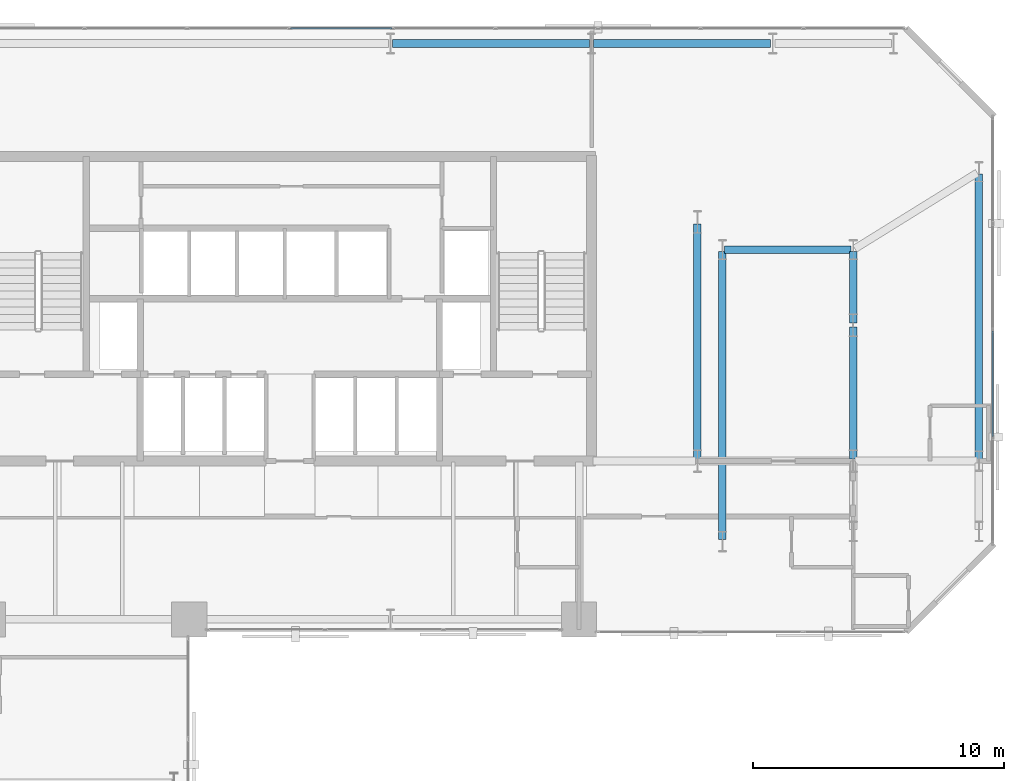
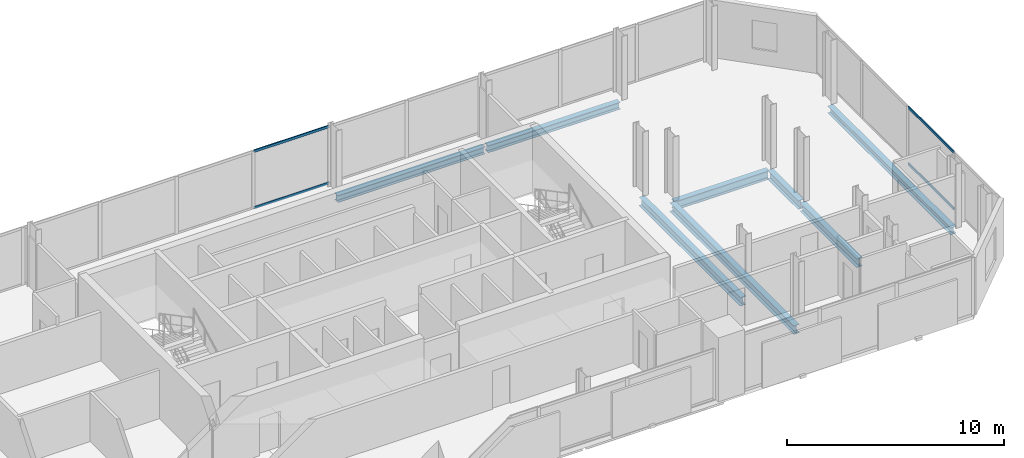
# One storey, part 24 of 33: 8 beams, 4 members, 2 elements without a shape of their own.
"""IFC4 building model written with IfcOpenShell, lengths in metres."""

from ifc_helpers import new_model, si_unit, direction, frame, origin, origin_2d, place, context, subcontext, project, spatial, hollow_rectangle, i_section, extrude, material, layer, layer_set, material_profile, profile_set, type_object, element, aggregate, save


model = new_model("IFC4")

# Units and contexts
model_context = context("Model", 3, precision=1e-05, world=origin(), true_north=direction((0.0, 1.0)))
body_context = subcontext(model_context, "Body", "Model", "MODEL_VIEW")
ifc_project = project(units=[si_unit("LENGTHUNIT", "METRE"), si_unit("AREAUNIT", "SQUARE_METRE"), si_unit("VOLUMEUNIT", "CUBIC_METRE"), si_unit("PLANEANGLEUNIT", "RADIAN"), si_unit("MASSUNIT", "GRAM", prefix="KILO")], contexts=[model_context])

# Site, building, storey
site_placement = place(None, origin())
site = spatial("IfcSite", under=ifc_project, at=site_placement, CompositionType="ELEMENT")
building_placement = place(site_placement, origin())
building = spatial("IfcBuilding", under=site, at=building_placement, Name="Catumbela Crestline Tower", CompositionType="ELEMENT")
storey_placement = place(building_placement, frame((0.0, 0.0, 76.2)))
storey = spatial("IfcBuildingStorey", under=building, at=storey_placement, Name="L19", CompositionType="ELEMENT", Elevation=76.2)

# Beams
ifc_material_1 = material(Name="Structural steel S355J2", Category="steel")
ifc_material_profile_1 = material_profile(ifc_material_1, i_section(OverallWidth=0.3, OverallDepth=0.49, WebThickness=0.012, FlangeThickness=0.023, FilletRadius=0.027, at=origin_2d()), Name="HEA 500")
ifc_profile_set_1 = profile_set([ifc_material_profile_1], Name="Structural steel S355J2")
beam_type_1 = type_object("IfcBeamType", Name="BG-HEA500", PredefinedType="BEAM", material=ifc_profile_set_1)
beam_1_placement = place(storey_placement, frame((45.28, 39.2, -0.505), z_axis=(1.0, 0.0, 0.0), x_axis=(0.0, 1.0, 0.0)))
element("IfcBeam", 1, at=beam_1_placement, inside=storey, type_object=beam_type_1, Name="L19 Beam BM-L19-N17", PredefinedType="BEAM", context=body_context, shape_type="SweptSolid", body=[
    extrude(i_section(OverallWidth=0.3, OverallDepth=0.49, WebThickness=0.012, FlangeThickness=0.023, FilletRadius=0.027, at=origin_2d()), origin(), (0.0, 0.0, 1.0), 5.04),
])
beam_2_placement = place(storey_placement, frame((44.2, 30.88, -0.505), z_axis=(0.0, 1.0, 0.0), x_axis=(-1.0, 0.0, 0.0)))
element("IfcBeam", 2, at=beam_2_placement, inside=storey, type_object=beam_type_1, Name="L19 Beam BM-L19-SN35", PredefinedType="BEAM", context=body_context, shape_type="SweptSolid", body=[
    extrude(i_section(OverallWidth=0.3, OverallDepth=0.49, WebThickness=0.012, FlangeThickness=0.023, FilletRadius=0.027, at=origin_2d()), origin(), (0.0, 0.0, 1.0), 9.34),
])
beam_3_placement = place(storey_placement, frame((45.2, 27.68, -0.505), z_axis=(0.0, 1.0, 0.0), x_axis=(-1.0, 0.0, 0.0)))
element("IfcBeam", 3, at=beam_3_placement, inside=storey, type_object=beam_type_1, Name="L19 Beam BM-L19-SN36", PredefinedType="BEAM", context=body_context, shape_type="SweptSolid", body=[
    extrude(i_section(OverallWidth=0.3, OverallDepth=0.49, WebThickness=0.012, FlangeThickness=0.023, FilletRadius=0.027, at=origin_2d()), origin(), (0.0, 0.0, 1.0), 11.44),
])
beam_4_placement = place(storey_placement, frame((50.4, 30.88, -0.505), z_axis=(0.0, 1.0, 0.0), x_axis=(-1.0, 0.0, 0.0)))
element("IfcBeam", 4, at=beam_4_placement, inside=storey, type_object=beam_type_1, Name="L19 Beam BM-L19-SN38", PredefinedType="BEAM", context=body_context, shape_type="SweptSolid", body=[
    extrude(i_section(OverallWidth=0.3, OverallDepth=0.49, WebThickness=0.012, FlangeThickness=0.023, FilletRadius=0.027, at=origin_2d()), origin(), (0.0, 0.0, 1.0), 5.24),
])
beam_5_placement = place(storey_placement, frame((50.4, 36.28, -0.505), z_axis=(0.0, 1.0, 0.0), x_axis=(-1.0, 0.0, 0.0)))
element("IfcBeam", 5, at=beam_5_placement, inside=storey, type_object=beam_type_1, Name="L19 Beam BM-L19-SN39", PredefinedType="BEAM", context=body_context, shape_type="SweptSolid", body=[
    extrude(i_section(OverallWidth=0.3, OverallDepth=0.49, WebThickness=0.012, FlangeThickness=0.023, FilletRadius=0.027, at=origin_2d()), origin(), (0.0, 0.0, 1.0), 2.84),
])
ifc_material_profile_2 = material_profile(ifc_material_1, i_section(OverallWidth=0.3, OverallDepth=0.4, WebThickness=0.0135, FlangeThickness=0.024, FilletRadius=0.027, at=origin_2d()), Name="HEB 400")
ifc_profile_set_2 = profile_set([ifc_material_profile_2], Name="Structural steel S355J2")
beam_type_2 = type_object("IfcBeamType", Name="BS-HEB400", PredefinedType="SPANDREL", material=ifc_profile_set_2)
beam_6_placement = place(storey_placement, frame((32.08, 47.4, -0.46), z_axis=(1.0, 0.0, 0.0), x_axis=(0.0, 1.0, 0.0)))
element("IfcBeam", 6, at=beam_6_placement, inside=storey, type_object=beam_type_2, Name="L19 Spandrel SP-L19-NF22", PredefinedType="SPANDREL", context=body_context, shape_type="SweptSolid", body=[
    extrude(i_section(OverallWidth=0.3, OverallDepth=0.4, WebThickness=0.0135, FlangeThickness=0.024, FilletRadius=0.027, at=origin_2d()), origin(), (0.0, 0.0, 1.0), 7.84),
])
beam_7_placement = place(storey_placement, frame((40.08, 47.4, -0.46), z_axis=(1.0, 0.0, 0.0), x_axis=(0.0, 1.0, 0.0)))
element("IfcBeam", 7, at=beam_7_placement, inside=storey, type_object=beam_type_2, Name="L19 Spandrel SP-L19-NF23", PredefinedType="SPANDREL", context=body_context, shape_type="SweptSolid", body=[
    extrude(i_section(OverallWidth=0.3, OverallDepth=0.4, WebThickness=0.0135, FlangeThickness=0.024, FilletRadius=0.027, at=origin_2d()), origin(), (0.0, 0.0, 1.0), 7.04),
])
beam_8_placement = place(storey_placement, frame((55.4, 30.88, -0.46), z_axis=(0.0, 1.0, 0.0), x_axis=(-1.0, 0.0, 0.0)))
element("IfcBeam", 8, at=beam_8_placement, inside=storey, type_object=beam_type_2, Name="L19 Spandrel SP-L19-SN41", PredefinedType="SPANDREL", context=body_context, shape_type="SweptSolid", body=[
    extrude(i_section(OverallWidth=0.3, OverallDepth=0.4, WebThickness=0.0135, FlangeThickness=0.024, FilletRadius=0.027, at=origin_2d()), origin(), (0.0, 0.0, 1.0), 11.34),
])

# Curtain wall, members
ifc_material_2 = material(Name="Aluminium alloy AW-6060-T66", Category="aluminium")
ifc_layer = layer(ifc_material_2, 0.18, Name="Aluminium alloy AW-6060-T66")
ifc_layer_set = layer_set([ifc_layer], Name="Aluminium alloy AW-6060-T66")
curtain_wall_type = type_object("IfcCurtainWallType", Name="CWU-Z1", PredefinedType="USERDEFINED", material=ifc_layer_set)
curtain_wall_1_placement = place(storey_placement, origin())
curtain_wall_1 = element("IfcCurtainWall", 9, at=curtain_wall_1_placement, inside=storey, type_object=curtain_wall_type, Name="L19 Unitised Curtain Wall CW-L19-E5S1", ObjectType="UNITISED", PredefinedType="USERDEFINED")
ifc_material_profile_3 = material_profile(ifc_material_2, hollow_rectangle(XDim=0.06, YDim=0.14, WallThickness=0.004, at=origin_2d()), Name="ALU 140x60x4")
ifc_profile_set_3 = profile_set([ifc_material_profile_3], Name="Aluminium alloy AW-6060-T66")
member_type = type_object("IfcMemberType", Name="TRN-140X60", PredefinedType="USERDEFINED", material=ifc_profile_set_3)
member_1_placement = place(storey_placement, frame((55.95, 31.7825, 0.03), z_axis=(0.0, 1.0, 0.0), x_axis=(-1.0, 0.0, 0.0)))
member_1 = element("IfcMember", 10, at=member_1_placement, type_object=member_type, Name="CWU-Z1 transom 2.1", ObjectType="TRANSOM", PredefinedType="USERDEFINED", context=body_context, shape_type="SweptSolid", body=[
    extrude(hollow_rectangle(XDim=0.06, YDim=0.14, WallThickness=0.004, at=origin_2d()), origin(), (0.0, 0.0, 1.0), 4.185),
])
member_2_placement = place(storey_placement, frame((55.95, 31.7825, 3.21), z_axis=(0.0, 1.0, 0.0), x_axis=(-1.0, 0.0, 0.0)))
member_2 = element("IfcMember", 11, at=member_2_placement, type_object=member_type, Name="CWU-Z1 transom 2.2", ObjectType="TRANSOM", PredefinedType="USERDEFINED", context=body_context, shape_type="SweptSolid", body=[
    extrude(hollow_rectangle(XDim=0.06, YDim=0.14, WallThickness=0.004, at=origin_2d()), origin(), (0.0, 0.0, 1.0), 4.185),
])
aggregate(curtain_wall_1, [member_1, member_2])

curtain_wall_2_placement = place(storey_placement, origin())
curtain_wall_2 = element("IfcCurtainWall", 12, at=curtain_wall_2_placement, inside=storey, type_object=curtain_wall_type, Name="L19 Unitised Curtain Wall CW-L19-E7S1", ObjectType="UNITISED", PredefinedType="USERDEFINED")
member_3_placement = place(storey_placement, frame((32.0508, 48.0, 0.03), z_axis=(-1.0, 0.0, 0.0), x_axis=(0.0, -1.0, 0.0)))
member_3 = element("IfcMember", 13, at=member_3_placement, type_object=member_type, Name="CWU-Z1 transom 6.1", ObjectType="TRANSOM", PredefinedType="USERDEFINED", context=body_context, shape_type="SweptSolid", body=[
    extrude(hollow_rectangle(XDim=0.06, YDim=0.14, WallThickness=0.004, at=origin_2d()), origin(), (0.0, 0.0, 1.0), 4.0183),
])
member_4_placement = place(storey_placement, frame((32.0508, 48.0, 3.21), z_axis=(-1.0, 0.0, 0.0), x_axis=(0.0, -1.0, 0.0)))
member_4 = element("IfcMember", 14, at=member_4_placement, type_object=member_type, Name="CWU-Z1 transom 6.2", ObjectType="TRANSOM", PredefinedType="USERDEFINED", context=body_context, shape_type="SweptSolid", body=[
    extrude(hollow_rectangle(XDim=0.06, YDim=0.14, WallThickness=0.004, at=origin_2d()), origin(), (0.0, 0.0, 1.0), 4.0183),
])
aggregate(curtain_wall_2, [member_3, member_4])

save(model, "model.ifc")
